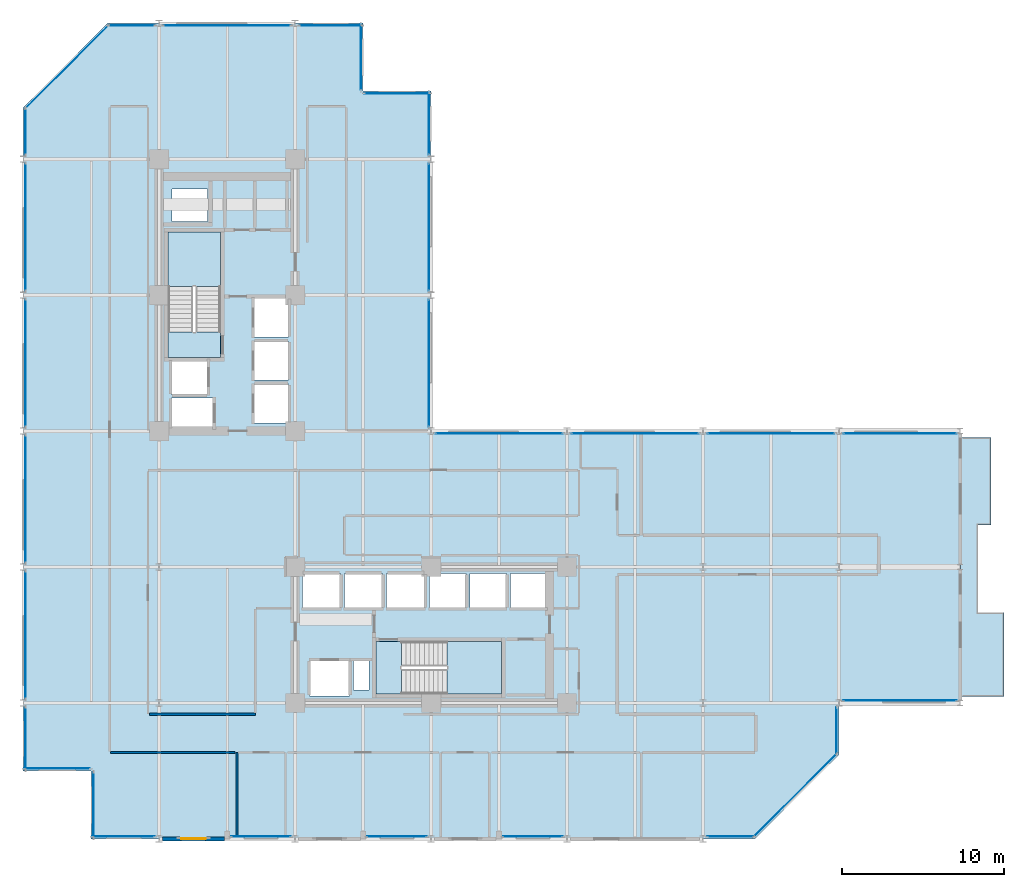
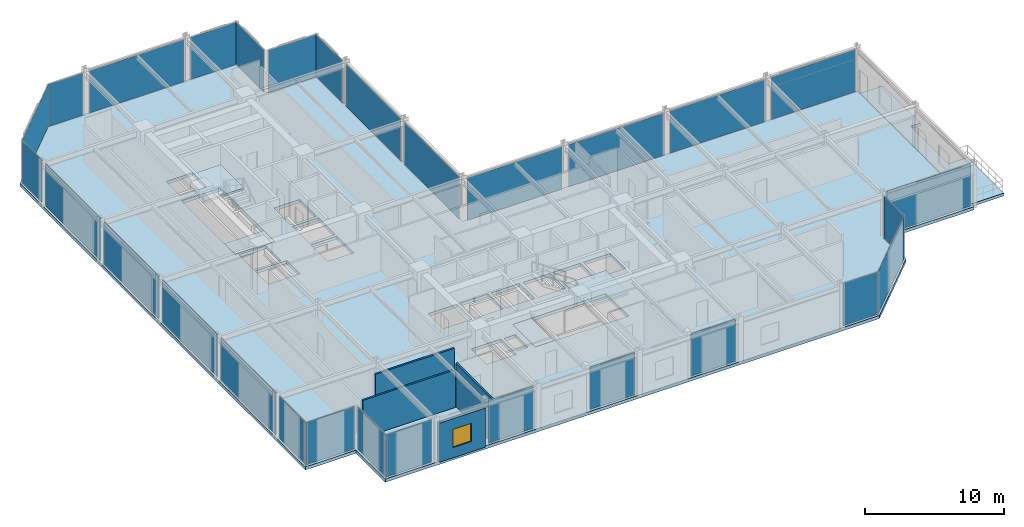
# One storey, part 31 of 38: 29 plates, 6 slabs, 4 walls, 1 window, 1 opening, 31 elements without a shape of their own.
"""IFC4 building model written with IfcOpenShell, lengths in metres."""

import ifcopenshell
import ifcopenshell.guid

model = None  # the IFC model being written
_history = None  # IfcOwnerHistory: only IFC2X3 demands one
_inside = {}  # id of a spatial element -> (the spatial element, [elements in it])
_under = {}  # id of a project, library or spatial element -> (it, [spatial elements below it])
_declared = {}  # id of a project -> (the project, [libraries it declares])
_typed = {}  # id of a type object -> (the type object, [elements of that type])
_made_of = {}  # id of a material, layer set ... -> (it, [elements and type objects made of it])


def new_model(schema):
    """Start an empty IFC model of exactly this schema.

    Asked for "IFC4X3", IfcOpenShell would pick the latest addendum, in which some entities
    have other attributes; the version numbers below select the first issue.
    IFC2X3 requires an IfcOwnerHistory on every rooted entity: one is made here for all.
    """
    global model, _history
    if schema == "IFC4X3":
        model = ifcopenshell.file(schema_version=(4, 3, 0, 0))
    else:
        model = ifcopenshell.file(schema=schema)
    _inside.clear()
    _under.clear()
    _declared.clear()
    _typed.clear()
    _made_of.clear()
    _history = None
    if model.schema == "IFC2X3":
        org = make("IfcOrganization", Name="unknown")
        user = make(
            "IfcPersonAndOrganization",
            ThePerson=make("IfcPerson", FamilyName="unknown"),
            TheOrganization=org,
        )
        app = make(
            "IfcApplication",
            ApplicationDeveloper=org,
            Version="unknown",
            ApplicationFullName="unknown",
            ApplicationIdentifier="unknown",
        )
        _history = make(
            "IfcOwnerHistory",
            OwningUser=user,
            OwningApplication=app,
            ChangeAction="ADDED",
            CreationDate=0,
        )
    return model


def make(cls, **values):
    """One entity of the class cls with the attributes given. An attribute that is None is left unset."""
    return model.create_entity(
        cls, **{name: value for name, value in values.items() if value is not None}
    )


def rooted(cls, **values):
    """An entity with a GlobalId (a new one), such as an element, a storey or a relation."""
    return make(cls, GlobalId=ifcopenshell.guid.new(), OwnerHistory=_history, **values)


def si_unit(unit_type, name, prefix=None):
    """IfcSIUnit, for example si_unit("LENGTHUNIT", "METRE", prefix="MILLI")."""
    return make("IfcSIUnit", UnitType=unit_type, Prefix=prefix, Name=name)


def assignment(units):
    """IfcUnitAssignment: the units of a project."""
    return None if units is None else make("IfcUnitAssignment", Units=units)


def point(xyz):
    """IfcCartesianPoint."""
    return None if xyz is None else make("IfcCartesianPoint", Coordinates=xyz)


def direction(xyz):
    """IfcDirection."""
    return None if xyz is None else make("IfcDirection", DirectionRatios=xyz)


def frame(location, z_axis=None, x_axis=None):
    """IfcAxis2Placement3D, a coordinate frame: its origin and axes. An axis left out is left unset."""
    return make(
        "IfcAxis2Placement3D",
        Location=point(location),
        Axis=direction(z_axis),
        RefDirection=direction(x_axis),
    )


def frame_2d(location, x_axis=None):
    """IfcAxis2Placement2D, a coordinate frame in the plane: its origin and x axis."""
    return make(
        "IfcAxis2Placement2D", Location=point(location), RefDirection=direction(x_axis)
    )


def origin():
    """The frame at (0, 0, 0) with its axes left unset."""
    return frame((0.0, 0.0, 0.0))


def origin_2d():
    """The frame at (0, 0) in the plane with its x axis left unset."""
    return frame_2d((0.0, 0.0))


def place(relative_to, where):
    """IfcLocalPlacement: puts the frame where relative to a parent placement (None: the world)."""
    return make(
        "IfcLocalPlacement", PlacementRelTo=relative_to, RelativePlacement=where
    )


def context(
    kind, dimensions, precision=None, world=None, true_north=None, identifier=None
):
    """IfcGeometricRepresentationContext, for example the 3D "Model" context."""
    return make(
        "IfcGeometricRepresentationContext",
        ContextIdentifier=identifier,
        ContextType=kind,
        CoordinateSpaceDimension=dimensions,
        Precision=precision,
        WorldCoordinateSystem=world,
        TrueNorth=true_north,
    )


def subcontext(parent, identifier, kind, view, scale=None):
    """IfcGeometricRepresentationSubContext, for example "Body" below "Model"."""
    return make(
        "IfcGeometricRepresentationSubContext",
        ContextIdentifier=identifier,
        ContextType=kind,
        ParentContext=parent,
        TargetScale=scale,
        TargetView=view,
    )


def project(units=None, contexts=None):
    """IfcProject with its units and contexts."""
    return rooted(
        "IfcProject",
        Name="project",
        RepresentationContexts=contexts,
        UnitsInContext=assignment(units),
    )


def spatial(cls, under=None, at=None, **own):
    """A site, building, storey or space (cls), placed at a placement, below another one or the project."""
    s = rooted(cls, ObjectPlacement=at, **own)
    if under is not None:
        _under.setdefault(under.id(), (under, []))[1].append(s)
    return s


def polyline(points):
    """IfcPolyline through the points."""
    return make("IfcPolyline", Points=[point(p) for p in points])


def profile(cls, at=None, kind="AREA", **sizes):
    """A parametric profile (cls). Its sizes go by their IFC names, for example OverallWidth=200.0."""
    return make(cls, ProfileType=kind, Position=at, **sizes)


def rectangle(**sizes):
    """IfcRectangleProfileDef."""
    return profile("IfcRectangleProfileDef", **sizes)


def outline(outer, holes=None, kind="AREA"):
    """IfcArbitraryClosedProfileDef: a profile drawn as a closed curve; with holes, ...WithVoids."""
    if holes is None:
        return make("IfcArbitraryClosedProfileDef", ProfileType=kind, OuterCurve=outer)
    return make(
        "IfcArbitraryProfileDefWithVoids",
        ProfileType=kind,
        OuterCurve=outer,
        InnerCurves=holes,
    )


def extrude(swept, where, along, depth):
    """IfcExtrudedAreaSolid: the profile swept, set in the frame where, extruded along a direction by depth."""
    return make(
        "IfcExtrudedAreaSolid",
        SweptArea=swept,
        Position=where,
        ExtrudedDirection=direction(along),
        Depth=depth,
    )


def shape(context_of_items, identifier, shape_type, items):
    """IfcShapeRepresentation: the items that make up one representation, for example the "Body"."""
    return make(
        "IfcShapeRepresentation",
        ContextOfItems=context_of_items,
        RepresentationIdentifier=identifier,
        RepresentationType=shape_type,
        Items=items,
    )


def material(Name=None, Category=None):
    """IfcMaterial."""
    return make("IfcMaterial", Name=Name, Category=Category)


def layer(
    of_material, thickness, ventilated=None, Name=None, Category=None, Priority=None
):
    """IfcMaterialLayer: one layer of a wall or slab, of a material (None: an air gap)."""
    return make(
        "IfcMaterialLayer",
        Material=of_material,
        LayerThickness=thickness,
        IsVentilated=ventilated,
        Name=Name,
        Category=Category,
        Priority=Priority,
    )


def layer_set(layers, Name=None):
    """IfcMaterialLayerSet."""
    return make("IfcMaterialLayerSet", MaterialLayers=layers, LayerSetName=Name)


def made_of(thing, what):
    """Note that an element or type object is made of a material, layer set ...; save() writes the relation."""
    if what is not None:
        _made_of.setdefault(what.id(), (what, []))[1].append(thing)
    return thing


def type_object(cls, material=None, **own):
    """A type object (cls), such as IfcWallType, which elements share."""
    return made_of(rooted(cls, **own), material)


def element(
    cls,
    number,
    at=None,
    inside=None,
    cuts=None,
    type_object=None,
    material=None,
    context=None,
    identifier="Body",
    shape_type=None,
    held_by="IfcProductDefinitionShape",
    body=None,
    shapes=None,
    **own,
):
    """One element of the class cls, such as IfcWall. Its Tag is "e" and its number.

    at: its placement. inside: the storey or other place that contains it. cuts: it is an
    opening in that element (IfcRelVoidsElement). A single representation is given by context,
    identifier, shape_type and body (its items); several are given by shapes. held_by: the class
    of the entity that holds the representations. save() writes the other relations.
    """
    e = rooted(cls, Tag="e%d" % number, ObjectPlacement=at, **own)
    if body is not None:
        shapes = [shape(context, identifier, shape_type, body)]
    if shapes is not None:
        e.Representation = make(held_by, Representations=shapes)
    if inside is not None:
        _inside.setdefault(inside.id(), (inside, []))[1].append(e)
    if cuts is not None:
        rooted(
            "IfcRelVoidsElement", RelatingBuildingElement=cuts, RelatedOpeningElement=e
        )
    if type_object is not None:
        _typed.setdefault(type_object.id(), (type_object, []))[1].append(e)
    return made_of(e, material)


def fill(opening, filler):
    """IfcRelFillsElement: the door or window that sits in an opening."""
    return rooted(
        "IfcRelFillsElement",
        RelatingOpeningElement=opening,
        RelatedBuildingElement=filler,
    )


def aggregate(whole, parts):
    """IfcRelAggregates: a whole, such as a stair, and the parts it consists of."""
    return rooted("IfcRelAggregates", RelatingObject=whole, RelatedObjects=parts)


def save(model, path):
    """Write the relations noted so far, then the file.

    IfcRelAggregates (storeys below a building ...), IfcRelContainedInSpatialStructure (elements
    in a storey), IfcRelDefinesByType, IfcRelAssociatesMaterial and IfcRelDeclares: one each for
    every whole, place, type object, material and project.
    """
    for whole, parts in _under.values():
        aggregate(whole, parts)
    for where, things in _inside.values():
        rooted(
            "IfcRelContainedInSpatialStructure",
            RelatedElements=things,
            RelatingStructure=where,
        )
    for kind, things in _typed.values():
        rooted("IfcRelDefinesByType", RelatedObjects=things, RelatingType=kind)
    for what, things in _made_of.values():
        rooted("IfcRelAssociatesMaterial", RelatedObjects=things, RelatingMaterial=what)
    for by, libraries in _declared.values():
        rooted("IfcRelDeclares", RelatingContext=by, RelatedDefinitions=libraries)
    model.write(path)


model = new_model("IFC4")

# Units and contexts
model_context = context("Model", 3, precision=1e-05, world=origin(), true_north=direction((0.0, 1.0)))
body_context = subcontext(model_context, "Body", "Model", "MODEL_VIEW")
ifc_project = project(units=[si_unit("LENGTHUNIT", "METRE"), si_unit("AREAUNIT", "SQUARE_METRE"), si_unit("VOLUMEUNIT", "CUBIC_METRE"), si_unit("PLANEANGLEUNIT", "RADIAN"), si_unit("MASSUNIT", "GRAM", prefix="KILO")], contexts=[model_context])

# Site, building, storey
site_placement = place(None, origin())
site = spatial("IfcSite", under=ifc_project, at=site_placement, CompositionType="ELEMENT")
building_placement = place(site_placement, origin())
building = spatial("IfcBuilding", under=site, at=building_placement, Name="Nerrivon Quay Data Exchange", CompositionType="ELEMENT")
storey_placement = place(building_placement, frame((0.0, 0.0, 84.39990234375)))
storey = spatial("IfcBuildingStorey", under=building, at=storey_placement, Name="L19", CompositionType="ELEMENT", Elevation=84.39990234375)

# Curtain wall, plate
ifc_material_1 = material(Name="Anodised aluminium 6063-T6", Category="aluminium")
ifc_layer_1 = layer(ifc_material_1, 0.199951171875)
ifc_layer_set_1 = layer_set([ifc_layer_1], Name="Anodised aluminium 6063-T6")
curtain_wall_type_1 = type_object("IfcCurtainWallType", Name="CW-SYS-04", PredefinedType="NOTDEFINED", material=ifc_layer_set_1)
curtain_wall_1_placement = place(storey_placement, origin())
curtain_wall_1 = element("IfcCurtainWall", 1, at=curtain_wall_1_placement, inside=storey, type_object=curtain_wall_type_1, Name="L19 Unitised Curtain Wall 3", PredefinedType="NOTDEFINED")
ifc_material_2 = material(Name="Double-glazed low-E solar control glass", Category="glass")
ifc_layer_2 = layer(ifc_material_2, 0.028076171875)
ifc_layer_set_2 = layer_set([ifc_layer_2], Name="Double-glazed low-E solar control glass")
plate_type = type_object("IfcPlateType", Name="CWP-GLZ-28", PredefinedType="CURTAIN_PANEL", material=ifc_layer_set_2)
plate_1_placement = place(storey_placement, frame((54.17236328125, 8.5400390625, 0.06494140625), z_axis=(0.0, 0.0, 1.0), x_axis=(-1.0, 0.0, 0.0)))
plate_1 = element("IfcPlate", 2, at=plate_1_placement, type_object=plate_type, Name="CW04 panel 1.1", PredefinedType="CURTAIN_PANEL", context=body_context, shape_type="SweptSolid", body=[
    extrude(rectangle(XDim=6.994384765625, YDim=0.028076171875, at=origin_2d()), origin(), (0.0, 0.0, 1.0), 3.695068359375),
])
aggregate(curtain_wall_1, [plate_1])

ifc_layer_3 = layer(ifc_material_1, 0.2099609375)
ifc_layer_set_3 = layer_set([ifc_layer_3], Name="Anodised aluminium 6063-T6")
curtain_wall_type_2 = type_object("IfcCurtainWallType", Name="CW-SYS-02", PredefinedType="NOTDEFINED", material=ifc_layer_set_3)
curtain_wall_2_placement = place(storey_placement, origin())
curtain_wall_2 = element("IfcCurtainWall", 3, at=curtain_wall_2_placement, inside=storey, type_object=curtain_wall_type_2, Name="L19 Unitised Curtain Wall 4", PredefinedType="NOTDEFINED")
plate_2_placement = place(storey_placement, frame((50.260009765625, 6.699951171875, 0.06494140625), z_axis=(0.0, 0.0, 1.0), x_axis=(0.0, -1.0, 0.0)))
plate_2 = element("IfcPlate", 4, at=plate_2_placement, type_object=plate_type, Name="CW02 panel 1.1", PredefinedType="CURTAIN_PANEL", context=body_context, shape_type="SweptSolid", body=[
    extrude(rectangle(XDim=2.85009765625, YDim=0.028076171875, at=origin_2d()), origin(), (0.0, 0.0, 1.0), 3.695068359375),
])
aggregate(curtain_wall_2, [plate_2])

curtain_wall_3_placement = place(storey_placement, origin())
curtain_wall_3 = element("IfcCurtainWall", 5, at=curtain_wall_3_placement, inside=storey, type_object=curtain_wall_type_2, Name="L19 Unitised Curtain Wall 5", PredefinedType="NOTDEFINED")
plate_3_placement = place(storey_placement, frame((47.700927734375, 2.698974609375, 0.06494140625), z_axis=(0.0, 0.0, 1.0), x_axis=(-0.707106781187, -0.707106781187, 0.0)))
plate_3 = element("IfcPlate", 6, at=plate_3_placement, type_object=plate_type, Name="CW02 panel 1.1", PredefinedType="CURTAIN_PANEL", context=body_context, shape_type="SweptSolid", body=[
    extrude(rectangle(XDim=7.203857421875, YDim=0.028076171875, at=origin_2d()), origin(), (0.0, 0.0, 1.0), 3.695068359375),
])
aggregate(curtain_wall_3, [plate_3])

curtain_wall_4_placement = place(storey_placement, origin())
curtain_wall_4 = element("IfcCurtainWall", 7, at=curtain_wall_4_placement, inside=storey, type_object=curtain_wall_type_2, Name="L19 Unitised Curtain Wall 6", PredefinedType="NOTDEFINED")
plate_4_placement = place(storey_placement, frame((43.699951171875, 0.139892578125, 0.06494140625), z_axis=(0.0, 0.0, 1.0), x_axis=(-1.0, 0.0, 0.0)))
plate_4 = element("IfcPlate", 8, at=plate_4_placement, type_object=plate_type, Name="CW02 panel 1.1", PredefinedType="CURTAIN_PANEL", context=body_context, shape_type="SweptSolid", body=[
    extrude(rectangle(XDim=2.85009765625, YDim=0.028076171875, at=origin_2d()), origin(), (0.0, 0.0, 1.0), 3.695068359375),
])
aggregate(curtain_wall_4, [plate_4])

curtain_wall_5_placement = place(storey_placement, origin())
curtain_wall_5 = element("IfcCurtainWall", 9, at=curtain_wall_5_placement, inside=storey, type_object=curtain_wall_type_2, Name="L19 Unitised Curtain Wall 8", PredefinedType="NOTDEFINED")
plate_5_placement = place(storey_placement, frame((31.487548828125, 0.139892578125, 0.06494140625), z_axis=(0.0, 0.0, 1.0), x_axis=(-1.0, 0.0, 0.0)))
plate_5 = element("IfcPlate", 10, at=plate_5_placement, type_object=plate_type, Name="CW02 panel 1.1", PredefinedType="CURTAIN_PANEL", context=body_context, shape_type="SweptSolid", body=[
    extrude(rectangle(XDim=3.675048828125, YDim=0.028076171875, at=origin_2d()), origin(), (0.0, 0.0, 1.0), 3.695068359375),
])
aggregate(curtain_wall_5, [plate_5])

curtain_wall_6_placement = place(storey_placement, origin())
curtain_wall_6 = element("IfcCurtainWall", 11, at=curtain_wall_6_placement, inside=storey, type_object=curtain_wall_type_2, Name="L19 Unitised Curtain Wall 10", PredefinedType="NOTDEFINED")
plate_6_placement = place(storey_placement, frame((23.08740234375, 0.139892578125, 0.06494140625), z_axis=(0.0, 0.0, 1.0), x_axis=(-1.0, 0.0, 0.0)))
plate_6 = element("IfcPlate", 12, at=plate_6_placement, type_object=plate_type, Name="CW02 panel 1.1", PredefinedType="CURTAIN_PANEL", context=body_context, shape_type="SweptSolid", body=[
    extrude(rectangle(XDim=3.675048828125, YDim=0.028076171875, at=origin_2d()), origin(), (0.0, 0.0, 1.0), 3.695068359375),
])
aggregate(curtain_wall_6, [plate_6])

curtain_wall_7_placement = place(storey_placement, origin())
curtain_wall_7 = element("IfcCurtainWall", 13, at=curtain_wall_7_placement, inside=storey, type_object=curtain_wall_type_2, Name="L19 Unitised Curtain Wall 12", PredefinedType="NOTDEFINED")
plate_7_placement = place(storey_placement, frame((14.6875, 0.139892578125, 0.06494140625), z_axis=(0.0, 0.0, 1.0), x_axis=(-1.0, 0.0, 0.0)))
plate_7 = element("IfcPlate", 14, at=plate_7_placement, type_object=plate_type, Name="CW02 panel 1.1", PredefinedType="CURTAIN_PANEL", context=body_context, shape_type="SweptSolid", body=[
    extrude(rectangle(XDim=3.675048828125, YDim=0.028076171875, at=origin_2d()), origin(), (0.0, 0.0, 1.0), 3.695068359375),
])
aggregate(curtain_wall_7, [plate_7])

curtain_wall_8_placement = place(storey_placement, origin())
curtain_wall_8 = element("IfcCurtainWall", 15, at=curtain_wall_8_placement, inside=storey, type_object=curtain_wall_type_2, Name="L19 Unitised Curtain Wall 14", PredefinedType="NOTDEFINED")
plate_8_placement = place(storey_placement, frame((6.199951171875, 0.139892578125, 0.06494140625), z_axis=(0.0, 0.0, 1.0), x_axis=(-1.0, 0.0, 0.0)))
plate_8 = element("IfcPlate", 16, at=plate_8_placement, type_object=plate_type, Name="CW02 panel 1.1", PredefinedType="CURTAIN_PANEL", context=body_context, shape_type="SweptSolid", body=[
    extrude(rectangle(XDim=3.85009765625, YDim=0.028076171875, at=origin_2d()), origin(), (0.0, 0.0, 1.0), 3.695068359375),
])
aggregate(curtain_wall_8, [plate_8])

curtain_wall_9_placement = place(storey_placement, origin())
curtain_wall_9 = element("IfcCurtainWall", 17, at=curtain_wall_9_placement, inside=storey, type_object=curtain_wall_type_2, Name="L19 Unitised Curtain Wall 15", PredefinedType="NOTDEFINED")
plate_9_placement = place(storey_placement, frame((4.340087890625, 2.10009765625, 0.06494140625), z_axis=(0.0, 0.0, 1.0), x_axis=(0.0, 1.0, 0.0)))
plate_9 = element("IfcPlate", 18, at=plate_9_placement, type_object=plate_type, Name="CW02 panel 1.1", PredefinedType="CURTAIN_PANEL", context=body_context, shape_type="SweptSolid", body=[
    extrude(rectangle(XDim=4.050048828125, YDim=0.028076171875, at=origin_2d()), origin(), (0.0, 0.0, 1.0), 3.695068359375),
])
aggregate(curtain_wall_9, [plate_9])

curtain_wall_10_placement = place(storey_placement, origin())
curtain_wall_10 = element("IfcCurtainWall", 19, at=curtain_wall_10_placement, inside=storey, type_object=curtain_wall_type_2, Name="L19 Unitised Curtain Wall 16", PredefinedType="NOTDEFINED")
plate_10_placement = place(storey_placement, frame((2.10009765625, 4.340087890625, 0.06494140625), z_axis=(0.0, 0.0, 1.0), x_axis=(-1.0, 0.0, 0.0)))
plate_10 = element("IfcPlate", 20, at=plate_10_placement, type_object=plate_type, Name="CW02 panel 1.1", PredefinedType="CURTAIN_PANEL", context=body_context, shape_type="SweptSolid", body=[
    extrude(rectangle(XDim=4.050048828125, YDim=0.028076171875, at=origin_2d()), origin(), (0.0, 0.0, 1.0), 3.695068359375),
])
aggregate(curtain_wall_10, [plate_10])

curtain_wall_11_placement = place(storey_placement, origin())
curtain_wall_11 = element("IfcCurtainWall", 21, at=curtain_wall_11_placement, inside=storey, type_object=curtain_wall_type_2, Name="L19 Unitised Curtain Wall 17", PredefinedType="NOTDEFINED")
plate_11_placement = place(storey_placement, frame((0.139892578125, 6.199951171875, 0.06494140625), z_axis=(0.0, 0.0, 1.0), x_axis=(0.0, 1.0, 0.0)))
plate_11 = element("IfcPlate", 22, at=plate_11_placement, type_object=plate_type, Name="CW02 panel 1.1", PredefinedType="CURTAIN_PANEL", context=body_context, shape_type="SweptSolid", body=[
    extrude(rectangle(XDim=3.85009765625, YDim=0.028076171875, at=origin_2d()), origin(), (0.0, 0.0, 1.0), 3.695068359375),
])
aggregate(curtain_wall_11, [plate_11])

curtain_wall_12_placement = place(storey_placement, origin())
curtain_wall_12 = element("IfcCurtainWall", 23, at=curtain_wall_12_placement, inside=storey, type_object=curtain_wall_type_2, Name="L19 Unitised Curtain Wall 18", PredefinedType="NOTDEFINED")
plate_12_placement = place(storey_placement, frame((0.139892578125, 12.60009765625, 0.06494140625), z_axis=(0.0, 0.0, 1.0), x_axis=(0.0, 1.0, 0.0)))
plate_12 = element("IfcPlate", 24, at=plate_12_placement, type_object=plate_type, Name="CW02 panel 1.1", PredefinedType="CURTAIN_PANEL", context=body_context, shape_type="SweptSolid", body=[
    extrude(rectangle(XDim=7.85009765625, YDim=0.028076171875, at=origin_2d()), origin(), (0.0, 0.0, 1.0), 3.695068359375),
])
aggregate(curtain_wall_12, [plate_12])

curtain_wall_13_placement = place(storey_placement, origin())
curtain_wall_13 = element("IfcCurtainWall", 25, at=curtain_wall_13_placement, inside=storey, type_object=curtain_wall_type_2, Name="L19 Unitised Curtain Wall 19", PredefinedType="NOTDEFINED")
plate_13_placement = place(storey_placement, frame((0.139892578125, 21.0, 0.06494140625), z_axis=(0.0, 0.0, 1.0), x_axis=(0.0, 1.0, 0.0)))
plate_13 = element("IfcPlate", 26, at=plate_13_placement, type_object=plate_type, Name="CW02 panel 1.1", PredefinedType="CURTAIN_PANEL", context=body_context, shape_type="SweptSolid", body=[
    extrude(rectangle(XDim=7.85009765625, YDim=0.028076171875, at=origin_2d()), origin(), (0.0, 0.0, 1.0), 3.695068359375),
])
aggregate(curtain_wall_13, [plate_13])

curtain_wall_14_placement = place(storey_placement, origin())
curtain_wall_14 = element("IfcCurtainWall", 27, at=curtain_wall_14_placement, inside=storey, type_object=curtain_wall_type_2, Name="L19 Unitised Curtain Wall 20", PredefinedType="NOTDEFINED")
plate_14_placement = place(storey_placement, frame((0.139892578125, 29.39990234375, 0.06494140625), z_axis=(0.0, 0.0, 1.0), x_axis=(0.0, 1.0, 0.0)))
plate_14 = element("IfcPlate", 28, at=plate_14_placement, type_object=plate_type, Name="CW02 panel 1.1", PredefinedType="CURTAIN_PANEL", context=body_context, shape_type="SweptSolid", body=[
    extrude(rectangle(XDim=7.85009765625, YDim=0.028076171875, at=origin_2d()), origin(), (0.0, 0.0, 1.0), 3.695068359375),
])
aggregate(curtain_wall_14, [plate_14])

curtain_wall_15_placement = place(storey_placement, origin())
curtain_wall_15 = element("IfcCurtainWall", 29, at=curtain_wall_15_placement, inside=storey, type_object=curtain_wall_type_2, Name="L19 Unitised Curtain Wall 21", PredefinedType="NOTDEFINED")
plate_15_placement = place(storey_placement, frame((0.139892578125, 37.800048828125, 0.06494140625), z_axis=(0.0, 0.0, 1.0), x_axis=(0.0, 1.0, 0.0)))
plate_15 = element("IfcPlate", 30, at=plate_15_placement, type_object=plate_type, Name="CW02 panel 1.1", PredefinedType="CURTAIN_PANEL", context=body_context, shape_type="SweptSolid", body=[
    extrude(rectangle(XDim=7.85009765625, YDim=0.028076171875, at=origin_2d()), origin(), (0.0, 0.0, 1.0), 3.695068359375),
])
aggregate(curtain_wall_15, [plate_15])

curtain_wall_16_placement = place(storey_placement, origin())
curtain_wall_16 = element("IfcCurtainWall", 31, at=curtain_wall_16_placement, inside=storey, type_object=curtain_wall_type_2, Name="L19 Unitised Curtain Wall 22", PredefinedType="NOTDEFINED")
plate_16_placement = place(storey_placement, frame((0.139892578125, 43.699951171875, 0.06494140625), z_axis=(0.0, 0.0, 1.0), x_axis=(0.0, 1.0, 0.0)))
plate_16 = element("IfcPlate", 32, at=plate_16_placement, type_object=plate_type, Name="CW02 panel 1.1", PredefinedType="CURTAIN_PANEL", context=body_context, shape_type="SweptSolid", body=[
    extrude(rectangle(XDim=2.85009765625, YDim=0.028076171875, at=origin_2d()), origin(), (0.0, 0.0, 1.0), 3.695068359375),
])
aggregate(curtain_wall_16, [plate_16])

curtain_wall_17_placement = place(storey_placement, origin())
curtain_wall_17 = element("IfcCurtainWall", 33, at=curtain_wall_17_placement, inside=storey, type_object=curtain_wall_type_2, Name="L19 Unitised Curtain Wall 23", PredefinedType="NOTDEFINED")
plate_17_placement = place(storey_placement, frame((2.698974609375, 47.700927734375, 0.06494140625), z_axis=(0.0, 0.0, 1.0), x_axis=(0.707106781187, 0.707106781187, 0.0)))
plate_17 = element("IfcPlate", 34, at=plate_17_placement, type_object=plate_type, Name="CW02 panel 1.1", PredefinedType="CURTAIN_PANEL", context=body_context, shape_type="SweptSolid", body=[
    extrude(rectangle(XDim=7.203857421875, YDim=0.028076171875, at=origin_2d()), origin(), (0.0, 0.0, 1.0), 3.695068359375),
])
aggregate(curtain_wall_17, [plate_17])

curtain_wall_18_placement = place(storey_placement, origin())
curtain_wall_18 = element("IfcCurtainWall", 35, at=curtain_wall_18_placement, inside=storey, type_object=curtain_wall_type_2, Name="L19 Unitised Curtain Wall 24", PredefinedType="NOTDEFINED")
plate_18_placement = place(storey_placement, frame((6.699951171875, 50.260009765625, 0.06494140625), z_axis=(0.0, 0.0, 1.0), x_axis=(1.0, 0.0, 0.0)))
plate_18 = element("IfcPlate", 36, at=plate_18_placement, type_object=plate_type, Name="CW02 panel 1.1", PredefinedType="CURTAIN_PANEL", context=body_context, shape_type="SweptSolid", body=[
    extrude(rectangle(XDim=2.85009765625, YDim=0.028076171875, at=origin_2d()), origin(), (0.0, 0.0, 1.0), 3.695068359375),
])
aggregate(curtain_wall_18, [plate_18])

curtain_wall_19_placement = place(storey_placement, origin())
curtain_wall_19 = element("IfcCurtainWall", 37, at=curtain_wall_19_placement, inside=storey, type_object=curtain_wall_type_2, Name="L19 Unitised Curtain Wall 25", PredefinedType="NOTDEFINED")
plate_19_placement = place(storey_placement, frame((12.60009765625, 50.260009765625, 0.06494140625), z_axis=(0.0, 0.0, 1.0), x_axis=(1.0, 0.0, 0.0)))
plate_19 = element("IfcPlate", 38, at=plate_19_placement, type_object=plate_type, Name="CW02 panel 1.1", PredefinedType="CURTAIN_PANEL", context=body_context, shape_type="SweptSolid", body=[
    extrude(rectangle(XDim=7.85009765625, YDim=0.028076171875, at=origin_2d()), origin(), (0.0, 0.0, 1.0), 3.695068359375),
])
aggregate(curtain_wall_19, [plate_19])

curtain_wall_20_placement = place(storey_placement, origin())
curtain_wall_20 = element("IfcCurtainWall", 39, at=curtain_wall_20_placement, inside=storey, type_object=curtain_wall_type_2, Name="L19 Unitised Curtain Wall 26", PredefinedType="NOTDEFINED")
plate_20_placement = place(storey_placement, frame((19.0, 50.260009765625, 0.06494140625), z_axis=(0.0, 0.0, 1.0), x_axis=(1.0, 0.0, 0.0)))
plate_20 = element("IfcPlate", 40, at=plate_20_placement, type_object=plate_type, Name="CW02 panel 1.1", PredefinedType="CURTAIN_PANEL", context=body_context, shape_type="SweptSolid", body=[
    extrude(rectangle(XDim=3.85009765625, YDim=0.028076171875, at=origin_2d()), origin(), (0.0, 0.0, 1.0), 3.695068359375),
])
aggregate(curtain_wall_20, [plate_20])

curtain_wall_21_placement = place(storey_placement, origin())
curtain_wall_21 = element("IfcCurtainWall", 41, at=curtain_wall_21_placement, inside=storey, type_object=curtain_wall_type_2, Name="L19 Unitised Curtain Wall 27", PredefinedType="NOTDEFINED")
plate_21_placement = place(storey_placement, frame((20.860107421875, 48.300048828125, 0.06494140625), z_axis=(0.0, 0.0, 1.0), x_axis=(0.0, -1.0, 0.0)))
plate_21 = element("IfcPlate", 42, at=plate_21_placement, type_object=plate_type, Name="CW02 panel 1.1", PredefinedType="CURTAIN_PANEL", context=body_context, shape_type="SweptSolid", body=[
    extrude(rectangle(XDim=4.050048828125, YDim=0.028076171875, at=origin_2d()), origin(), (0.0, 0.0, 1.0), 3.695068359375),
])
aggregate(curtain_wall_21, [plate_21])

curtain_wall_22_placement = place(storey_placement, origin())
curtain_wall_22 = element("IfcCurtainWall", 43, at=curtain_wall_22_placement, inside=storey, type_object=curtain_wall_type_2, Name="L19 Unitised Curtain Wall 28", PredefinedType="NOTDEFINED")
plate_22_placement = place(storey_placement, frame((23.10009765625, 46.06005859375, 0.06494140625), z_axis=(0.0, 0.0, 1.0), x_axis=(1.0, 0.0, 0.0)))
plate_22 = element("IfcPlate", 44, at=plate_22_placement, type_object=plate_type, Name="CW02 panel 1.1", PredefinedType="CURTAIN_PANEL", context=body_context, shape_type="SweptSolid", body=[
    extrude(rectangle(XDim=4.050048828125, YDim=0.028076171875, at=origin_2d()), origin(), (0.0, 0.0, 1.0), 3.695068359375),
])
aggregate(curtain_wall_22, [plate_22])

curtain_wall_23_placement = place(storey_placement, origin())
curtain_wall_23 = element("IfcCurtainWall", 45, at=curtain_wall_23_placement, inside=storey, type_object=curtain_wall_type_2, Name="L19 Unitised Curtain Wall 29", PredefinedType="NOTDEFINED")
plate_23_placement = place(storey_placement, frame((25.06005859375, 44.199951171875, 0.06494140625), z_axis=(0.0, 0.0, 1.0), x_axis=(0.0, -1.0, 0.0)))
plate_23 = element("IfcPlate", 46, at=plate_23_placement, type_object=plate_type, Name="CW02 panel 1.1", PredefinedType="CURTAIN_PANEL", context=body_context, shape_type="SweptSolid", body=[
    extrude(rectangle(XDim=3.85009765625, YDim=0.028076171875, at=origin_2d()), origin(), (0.0, 0.0, 1.0), 3.695068359375),
])
aggregate(curtain_wall_23, [plate_23])

curtain_wall_24_placement = place(storey_placement, origin())
curtain_wall_24 = element("IfcCurtainWall", 47, at=curtain_wall_24_placement, inside=storey, type_object=curtain_wall_type_2, Name="L19 Unitised Curtain Wall 30", PredefinedType="NOTDEFINED")
plate_24_placement = place(storey_placement, frame((25.06005859375, 37.800048828125, 0.06494140625), z_axis=(0.0, 0.0, 1.0), x_axis=(0.0, -1.0, 0.0)))
plate_24 = element("IfcPlate", 48, at=plate_24_placement, type_object=plate_type, Name="CW02 panel 1.1", PredefinedType="CURTAIN_PANEL", context=body_context, shape_type="SweptSolid", body=[
    extrude(rectangle(XDim=7.85009765625, YDim=0.028076171875, at=origin_2d()), origin(), (0.0, 0.0, 1.0), 3.695068359375),
])
aggregate(curtain_wall_24, [plate_24])

curtain_wall_25_placement = place(storey_placement, origin())
curtain_wall_25 = element("IfcCurtainWall", 49, at=curtain_wall_25_placement, inside=storey, type_object=curtain_wall_type_2, Name="L19 Unitised Curtain Wall 31", PredefinedType="NOTDEFINED")
plate_25_placement = place(storey_placement, frame((25.06005859375, 29.39990234375, 0.06494140625), z_axis=(0.0, 0.0, 1.0), x_axis=(0.0, -1.0, 0.0)))
plate_25 = element("IfcPlate", 50, at=plate_25_placement, type_object=plate_type, Name="CW02 panel 1.1", PredefinedType="CURTAIN_PANEL", context=body_context, shape_type="SweptSolid", body=[
    extrude(rectangle(XDim=7.85009765625, YDim=0.028076171875, at=origin_2d()), origin(), (0.0, 0.0, 1.0), 3.695068359375),
])
aggregate(curtain_wall_25, [plate_25])

curtain_wall_26_placement = place(storey_placement, origin())
curtain_wall_26 = element("IfcCurtainWall", 51, at=curtain_wall_26_placement, inside=storey, type_object=curtain_wall_type_2, Name="L19 Unitised Curtain Wall 32", PredefinedType="NOTDEFINED")
plate_26_placement = place(storey_placement, frame((29.39990234375, 25.06005859375, 0.06494140625), z_axis=(0.0, 0.0, 1.0), x_axis=(1.0, 0.0, 0.0)))
plate_26 = element("IfcPlate", 52, at=plate_26_placement, type_object=plate_type, Name="CW02 panel 1.1", PredefinedType="CURTAIN_PANEL", context=body_context, shape_type="SweptSolid", body=[
    extrude(rectangle(XDim=7.85009765625, YDim=0.028076171875, at=origin_2d()), origin(), (0.0, 0.0, 1.0), 3.695068359375),
])
aggregate(curtain_wall_26, [plate_26])

curtain_wall_27_placement = place(storey_placement, origin())
curtain_wall_27 = element("IfcCurtainWall", 53, at=curtain_wall_27_placement, inside=storey, type_object=curtain_wall_type_2, Name="L19 Unitised Curtain Wall 33", PredefinedType="NOTDEFINED")
plate_27_placement = place(storey_placement, frame((37.800048828125, 25.06005859375, 0.06494140625), z_axis=(0.0, 0.0, 1.0), x_axis=(1.0, 0.0, 0.0)))
plate_27 = element("IfcPlate", 54, at=plate_27_placement, type_object=plate_type, Name="CW02 panel 1.1", PredefinedType="CURTAIN_PANEL", context=body_context, shape_type="SweptSolid", body=[
    extrude(rectangle(XDim=7.85009765625, YDim=0.028076171875, at=origin_2d()), origin(), (0.0, 0.0, 1.0), 3.695068359375),
])
aggregate(curtain_wall_27, [plate_27])

curtain_wall_28_placement = place(storey_placement, origin())
curtain_wall_28 = element("IfcCurtainWall", 55, at=curtain_wall_28_placement, inside=storey, type_object=curtain_wall_type_2, Name="L19 Unitised Curtain Wall 34", PredefinedType="NOTDEFINED")
plate_28_placement = place(storey_placement, frame((46.199951171875, 25.06005859375, 0.06494140625), z_axis=(0.0, 0.0, 1.0), x_axis=(1.0, 0.0, 0.0)))
plate_28 = element("IfcPlate", 56, at=plate_28_placement, type_object=plate_type, Name="CW02 panel 1.1", PredefinedType="CURTAIN_PANEL", context=body_context, shape_type="SweptSolid", body=[
    extrude(rectangle(XDim=7.85009765625, YDim=0.028076171875, at=origin_2d()), origin(), (0.0, 0.0, 1.0), 3.695068359375),
])
aggregate(curtain_wall_28, [plate_28])

curtain_wall_29_placement = place(storey_placement, origin())
curtain_wall_29 = element("IfcCurtainWall", 57, at=curtain_wall_29_placement, inside=storey, type_object=curtain_wall_type_1, Name="L19 Unitised Curtain Wall 35", PredefinedType="NOTDEFINED")
plate_29_placement = place(storey_placement, frame((54.17236328125, 25.06005859375, 0.06494140625), z_axis=(0.0, 0.0, 1.0), x_axis=(1.0, 0.0, 0.0)))
plate_29 = element("IfcPlate", 58, at=plate_29_placement, type_object=plate_type, Name="CW04 panel 1.1", PredefinedType="CURTAIN_PANEL", context=body_context, shape_type="SweptSolid", body=[
    extrude(rectangle(XDim=6.994384765625, YDim=0.028076171875, at=origin_2d()), origin(), (0.0, 0.0, 1.0), 3.695068359375),
])
aggregate(curtain_wall_29, [plate_29])

# Slab
ifc_material_3 = material(Name="Precast white architectural concrete N50 (50 MPa)", Category="concrete")
ifc_layer_4 = layer(ifc_material_3, 0.25)
ifc_layer_set_4 = layer_set([ifc_layer_4], Name="Precast white architectural concrete N50 (50 MPa)")
slab_type_1 = type_object("IfcSlabType", Name="SLB-BAL-250", PredefinedType="FLOOR", material=ifc_layer_set_4)
slab_1_placement = place(storey_placement, frame((0.0, 0.0, -0.25)))
element("IfcSlab", 59, at=slab_1_placement, inside=storey, type_object=slab_type_1, Name="L19 East Hooked Drifting Verandah", PredefinedType="FLOOR", context=body_context, shape_type="SweptSolid", body=[
    extrude(outline(polyline([(59.0, 14.0), (59.0, 19.39990234375), (59.800048828125, 19.39990234375), (59.800048828125, 24.800048828125), (57.89990234375, 24.800048828125), (57.89990234375, 19.39990234375), (57.89990234375, 14.0), (57.89990234375, 8.800048828125), (60.60009765625, 8.800048828125), (60.60009765625, 14.0), (59.0, 14.0)])), origin(), (0.0, 0.0, 1.0), 0.25),
])

# Stair, slab
ifc_material_4 = material(Name="Concrete N50 (50 MPa)", Category="concrete")
stair_type = type_object("IfcStairType", Name="STAIR-DOG-41", PredefinedType="HALF_TURN_STAIR", material=ifc_material_4)
stair_1_placement = place(storey_placement, origin())
stair_1 = element("IfcStair", 60, at=stair_1_placement, inside=storey, type_object=stair_type, Name="L19 West Core Fire Stair ST01", PredefinedType="HALF_TURN_STAIR")
ifc_layer_5 = layer(ifc_material_4, 0.199951171875)
ifc_layer_set_5 = layer_set([ifc_layer_5], Name="Concrete N50 (50 MPa)")
slab_type_2 = type_object("IfcSlabType", Name="SLB-LAND-200", PredefinedType="LANDING", material=ifc_layer_set_5)
slab_2_placement = place(storey_placement, frame((0.0, 0.0, 1.85009765625)))
slab_2 = element("IfcSlab", 61, at=slab_2_placement, type_object=slab_type_2, Name="ST01 landing 1", PredefinedType="LANDING", context=body_context, shape_type="SweptSolid", body=[
    extrude(outline(polyline([(12.199951171875, 34.1298828125), (12.199951171875, 37.5), (8.949951171875, 37.5), (8.949951171875, 34.1298828125), (12.199951171875, 34.1298828125)])), origin(), (0.0, 0.0, 1.0), 0.199951171875),
])
aggregate(stair_1, [slab_2])

# Slab
slab_3_placement = place(storey_placement, frame((0.0, 0.0, -0.199951171875)))
element("IfcSlab", 62, at=slab_3_placement, inside=storey, type_object=slab_type_2, Name="L19 ST01 floor landing", PredefinedType="LANDING", context=body_context, shape_type="SweptSolid", body=[
    extrude(outline(polyline([(12.199951171875, 29.75), (12.199951171875, 31.330078125), (8.949951171875, 31.330078125), (8.949951171875, 29.75), (12.199951171875, 29.75)])), origin(), (0.0, 0.0, 1.0), 0.199951171875),
])

# Stair, slab
stair_2_placement = place(storey_placement, origin())
stair_2 = element("IfcStair", 63, at=stair_2_placement, inside=storey, type_object=stair_type, Name="L19 East Core Fire Stair ST02", PredefinedType="HALF_TURN_STAIR")
slab_4_placement = place(storey_placement, frame((0.0, 0.0, 1.85009765625)))
slab_4 = element("IfcSlab", 64, at=slab_4_placement, type_object=slab_type_2, Name="ST02 landing 1", PredefinedType="LANDING", context=body_context, shape_type="SweptSolid", body=[
    extrude(outline(polyline([(26.179931640625, 8.949951171875), (29.550048828125, 8.949951171875), (29.550048828125, 12.199951171875), (26.179931640625, 12.199951171875), (26.179931640625, 8.949951171875)])), origin(), (0.0, 0.0, 1.0), 0.199951171875),
])
aggregate(stair_2, [slab_4])

# Slabs
slab_5_placement = place(storey_placement, frame((0.0, 0.0, -0.199951171875)))
element("IfcSlab", 65, at=slab_5_placement, inside=storey, type_object=slab_type_2, Name="L19 ST02 floor landing", PredefinedType="LANDING", context=body_context, shape_type="SweptSolid", body=[
    extrude(outline(polyline([(21.800048828125, 8.949951171875), (23.3798828125, 8.949951171875), (23.3798828125, 12.199951171875), (21.800048828125, 12.199951171875), (21.800048828125, 8.949951171875)])), origin(), (0.0, 0.0, 1.0), 0.199951171875),
])
ifc_layer_6 = layer(ifc_material_4, 0.27490234375)
ifc_layer_set_6 = layer_set([ifc_layer_6], Name="Concrete N50 (50 MPa)")
slab_type_3 = type_object("IfcSlabType", Name="SLB-TOW-275", PredefinedType="FLOOR", material=ifc_layer_set_6)
slab_6_placement = place(storey_placement, frame((0.0, 0.0, -0.27490234375)))
element("IfcSlab", 66, at=slab_6_placement, inside=storey, type_object=slab_type_3, Name="L19 Primary Structural Slab", PredefinedType="FLOOR", context=body_context, shape_type="SweptSolid", body=[
    extrude(outline(polyline([(25.199951171875, 25.199951171875), (25.199951171875, 46.199951171875), (21.0, 46.199951171875), (21.0, 50.39990234375), (5.199951171875, 50.39990234375), (0.0, 45.199951171875), (0.0, 4.199951171875), (4.199951171875, 4.199951171875), (4.199951171875, 0.0), (45.199951171875, 0.0), (50.39990234375, 5.199951171875), (50.39990234375, 8.39990234375), (57.89990234375, 8.39990234375), (57.89990234375, 25.199951171875), (25.199951171875, 25.199951171875)]), holes=[polyline([(8.949951171875, 29.75), (8.949951171875, 37.5), (12.199951171875, 37.5), (12.199951171875, 29.75), (8.949951171875, 29.75)]), polyline([(21.800048828125, 12.199951171875), (29.550048828125, 12.199951171875), (29.550048828125, 8.949951171875), (21.800048828125, 8.949951171875), (21.800048828125, 12.199951171875)]), polyline([(30.10009765625, 16.39990234375), (32.35009765625, 16.39990234375), (32.35009765625, 14.25), (30.10009765625, 14.25), (30.10009765625, 16.39990234375)]), polyline([(27.60009765625, 16.39990234375), (29.85009765625, 16.39990234375), (29.85009765625, 14.25), (27.60009765625, 14.25), (27.60009765625, 16.39990234375)]), polyline([(25.10009765625, 16.39990234375), (27.35009765625, 16.39990234375), (27.35009765625, 14.25), (25.10009765625, 14.25), (25.10009765625, 16.39990234375)]), polyline([(22.449951171875, 16.39990234375), (24.800048828125, 16.39990234375), (24.800048828125, 14.25), (22.449951171875, 14.25), (22.449951171875, 16.39990234375)]), polyline([(19.85009765625, 16.39990234375), (22.199951171875, 16.39990234375), (22.199951171875, 14.25), (19.85009765625, 14.25), (19.85009765625, 16.39990234375)]), polyline([(20.39990234375, 11.0), (21.35009765625, 11.0), (21.35009765625, 9.199951171875), (20.39990234375, 9.199951171875), (20.39990234375, 11.0)]), polyline([(17.699951171875, 8.830078125), (17.699951171875, 11.030029296875), (20.14990234375, 11.030029296875), (20.14990234375, 8.830078125), (17.699951171875, 8.830078125)]), polyline([(17.25, 14.25), (17.25, 16.39990234375), (19.60009765625, 16.39990234375), (19.60009765625, 14.25), (17.25, 14.25)]), polyline([(14.25, 28.10009765625), (16.39990234375, 28.10009765625), (16.39990234375, 25.699951171875), (14.25, 25.699951171875), (14.25, 28.10009765625)]), polyline([(14.25, 30.75), (16.39990234375, 30.75), (16.39990234375, 28.35009765625), (14.25, 28.35009765625), (14.25, 30.75)]), polyline([(14.25, 33.39990234375), (16.39990234375, 33.39990234375), (16.39990234375, 31.0), (14.25, 31.0), (14.25, 33.39990234375)]), polyline([(9.14990234375, 27.25), (11.75, 27.25), (11.75, 25.35009765625), (9.14990234375, 25.35009765625), (9.14990234375, 27.25)]), polyline([(9.14990234375, 29.60009765625), (11.39990234375, 29.60009765625), (11.39990234375, 27.449951171875), (9.14990234375, 27.449951171875), (9.14990234375, 29.60009765625)]), polyline([(9.199951171875, 40.14990234375), (11.39990234375, 40.14990234375), (11.39990234375, 38.14990234375), (9.199951171875, 38.14990234375), (9.199951171875, 40.14990234375)])]), origin(), (0.0, 0.0, 1.0), 0.27490234375),
])

# Wall, opening, window
ifc_material_5 = material(Name="Architectural terracotta precast concrete N50 (50 MPa)", Category="masonry")
ifc_layer_7 = layer(ifc_material_5, 0.239990234375)
ifc_layer_set_7 = layer_set([ifc_layer_7], Name="Architectural terracotta precast concrete N50 (50 MPa)")
wall_type_1 = type_object("IfcWallType", Name="EW-PREC-240", PredefinedType="STANDARD", material=ifc_layer_set_7)
wall_1_placement = place(storey_placement, frame((12.425048828125, 0.0, 0.0), z_axis=(0.0, 0.0, 1.0), x_axis=(-1.0, 0.0, 0.0)))
wall_1 = element("IfcWall", 67, at=wall_1_placement, inside=storey, type_object=wall_type_1, Name="L19 Podium Precast Spandrel Wall 13", PredefinedType="STANDARD", context=body_context, shape_type="SweptSolid", body=[
    extrude(rectangle(XDim=3.824951171875, YDim=0.239990234375, at=frame_2d((1.91259765625, 0.0))), origin(), (0.0, 0.0, 1.0), 3.422119140625),
])
opening_placement = place(wall_1_placement, frame((1.16259765625, 0.0, 0.89990234375)))
opening = element("IfcOpeningElement", 68, at=opening_placement, cuts=wall_1, Name="Opening WN4", PredefinedType="OPENING", context=body_context, shape_type="SweptSolid", body=[
    extrude(rectangle(XDim=1.5, YDim=1.60009765625, at=frame_2d((0.75, 0.800048828125))), frame((0.0, 0.1298828125, 0.0), z_axis=(0.0, -1.0, 0.0), x_axis=(1.0, 0.0, 0.0)), (0.0, 0.0, 1.0), 0.260009765625),
])
window_type = type_object("IfcWindowType", Name="WIN-W4-1500x1600", PartitioningType="SINGLE_PANEL", PredefinedType="WINDOW", material=ifc_material_2)
window_placement = place(opening_placement, origin())
window = element("IfcWindow", 69, at=window_placement, inside=storey, type_object=window_type, Name="L19 Solar Facade Window 13", OverallHeight=1.60009765625, OverallWidth=1.5, PartitioningType="SINGLE_PANEL", PredefinedType="WINDOW", context=body_context, shape_type="SweptSolid", body=[
    extrude(rectangle(XDim=1.5, YDim=1.60009765625, at=frame_2d((0.75, 0.800048828125))), frame((0.0, 0.030029296875, 0.0), z_axis=(0.0, -1.0, 0.0), x_axis=(1.0, 0.0, 0.0)), (0.0, 0.0, 1.0), 0.06005859375),
])
fill(opening, window)

# Walls
ifc_material_6 = material(Name="Gypsum plasterboard on cold-formed framing", Category="gypsum")
ifc_layer_8 = layer(ifc_material_6, 0.135009765625)
ifc_layer_set_8 = layer_set([ifc_layer_8], Name="Gypsum plasterboard on cold-formed framing")
wall_type_2 = type_object("IfcWallType", Name="WALL-PT-135", PredefinedType="PARTITIONING", material=ifc_layer_set_8)
wall_2_placement = place(storey_placement, frame((13.199951171875, 5.340087890625, 0.0), z_axis=(0.0, 0.0, 1.0), x_axis=(0.0, -1.0, 0.0)))
element("IfcWall", 70, at=wall_2_placement, inside=storey, type_object=wall_type_2, Name="L19 Partition Accessible Toilet", PredefinedType="PARTITIONING", context=body_context, shape_type="SweptSolid", body=[
    extrude(rectangle(XDim=5.171142578125, YDim=0.135009765625, at=frame_2d((2.58544921875, 0.0))), origin(), (0.0, 0.0, 1.0), 3.8251953125),
])
ifc_layer_9 = layer(ifc_material_6, 0.14990234375)
ifc_layer_set_9 = layer_set([ifc_layer_9], Name="Gypsum plasterboard on cold-formed framing")
wall_type_3 = type_object("IfcWallType", Name="WALL-PT-150", PredefinedType="PARTITIONING", material=ifc_layer_set_9)
wall_3_placement = place(storey_placement, frame((7.7890625, 7.7099609375, 0.0), z_axis=(0.0, 0.0, 1.0), x_axis=(1.0, 0.0, 0.0)))
element("IfcWall", 71, at=wall_3_placement, inside=storey, type_object=wall_type_3, Name="L19 Partition Cloud Compute Workspace 1", PredefinedType="PARTITIONING", context=body_context, shape_type="SweptSolid", body=[
    extrude(rectangle(XDim=6.551025390625, YDim=0.14990234375, at=frame_2d((3.275390625, 0.0))), origin(), (0.0, 0.0, 1.0), 3.297119140625),
])
wall_4_placement = place(storey_placement, frame((13.080078125, 5.340087890625, 0.0), z_axis=(0.0, 0.0, 1.0), x_axis=(-1.0, 0.0, 0.0)))
element("IfcWall", 72, at=wall_4_placement, inside=storey, type_object=wall_type_3, Name="L19 Partition Optical Engineering Studios Workspace", PredefinedType="PARTITIONING", context=body_context, shape_type="SweptSolid", body=[
    extrude(rectangle(XDim=7.68017578125, YDim=0.14990234375, at=frame_2d((3.840087890625, 0.0))), origin(), (0.0, 0.0, 1.0), 3.297119140625),
])

save(model, "model.ifc")
